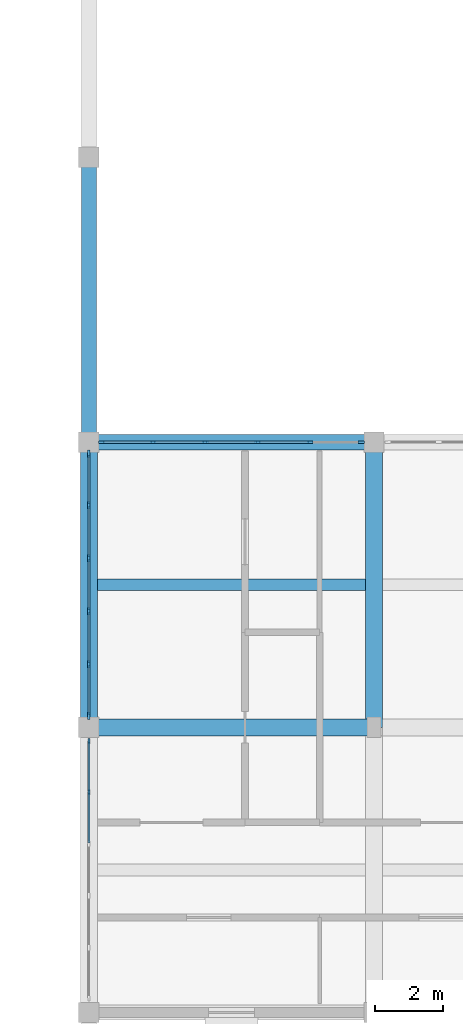
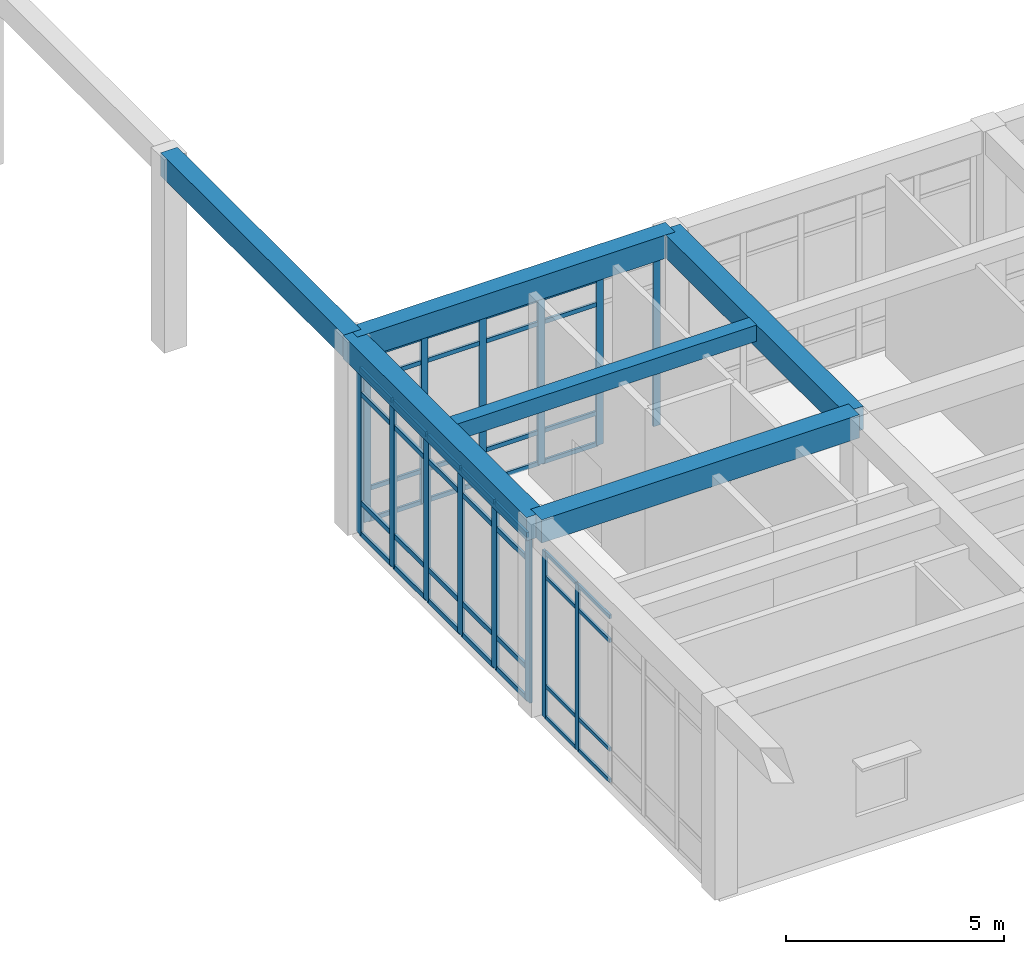
# One storey, part 13 of 89: 58 members, 6 beams, 3 elements without a shape of their own.
"""IFC4 building model written with IfcOpenShell, lengths in metres."""

from ifc_helpers import new_model, si_unit, direction, frame, origin, origin_2d, place, context, subcontext, project, spatial, rectangle, extrude, material, material_profile, profile_set, type_object, element, aggregate, save


model = new_model("IFC4")

# Units and contexts
model_context = context("Model", 3, precision=1e-05, world=origin(), true_north=direction((0.0, 1.0)))
body_context = subcontext(model_context, "Body", "Model", "MODEL_VIEW")
ifc_project = project(units=[si_unit("LENGTHUNIT", "METRE"), si_unit("AREAUNIT", "SQUARE_METRE"), si_unit("VOLUMEUNIT", "CUBIC_METRE"), si_unit("PLANEANGLEUNIT", "RADIAN"), si_unit("MASSUNIT", "GRAM", prefix="KILO")], contexts=[model_context])

# Site, building, storey
site_placement = place(None, origin())
site = spatial("IfcSite", under=ifc_project, at=site_placement, CompositionType="ELEMENT")
building_placement = place(site_placement, origin())
building = spatial("IfcBuilding", under=site, at=building_placement, Name="Varncliffe General Hospital", CompositionType="ELEMENT")
storey_placement = place(building_placement, frame((0.0, 0.0, 10.800048828125)))
storey = spatial("IfcBuildingStorey", under=building, at=storey_placement, Name="L02", CompositionType="ELEMENT", Elevation=10.800048828125)

# Beams
ifc_material_1 = material(Name="Concrete C35/45 (CSA A23.1 35 MPa)", Category="concrete")
ifc_material_profile_1 = material_profile(ifc_material_1, rectangle(XDim=0.5, YDim=0.64990234375, at=origin_2d()), Name="RC 500x650")
ifc_profile_set_1 = profile_set([ifc_material_profile_1], Name="Concrete C35/45 (CSA A23.1 35 MPa)")
beam_type_1 = type_object("IfcBeamType", Name="Beam B29 (Int RC 500x650)", PredefinedType="BEAM", material=ifc_profile_set_1)
beam_1_placement = place(storey_placement, frame((117.60009765625, 32.39990234375, 5.074951171875), z_axis=(1.0, 0.0, 0.0), x_axis=(0.0, 1.0, 0.0)))
element("IfcBeam", 1, at=beam_1_placement, inside=storey, type_object=beam_type_1, Name="L02 Primary Beam B29-35", PredefinedType="BEAM", context=body_context, shape_type="SweptSolid", body=[
    extrude(rectangle(XDim=0.5, YDim=0.64990234375, at=origin_2d()), origin(), (0.0, 0.0, 1.0), 8.39990234375),
])
for number, where, z_axis, x_axis, name in (
    (2, (117.60009765625, 32.39990234375, 5.074951171875), (0.0, 1.0, 0.0), (-1.0, 0.0, 0.0), "L02 Primary Beam B29-389"),
    (3, (126.0, 32.39990234375, 5.074951171875), (0.0, 1.0, 0.0), (-1.0, 0.0, 0.0), "L02 Primary Beam B29-403"),
):
    element("IfcBeam", number, at=place(storey_placement, frame(where, z_axis=z_axis, x_axis=x_axis)), inside=storey, type_object=beam_type_1, Name=name, PredefinedType="BEAM", context=body_context, shape_type="SweptSolid", body=[
        extrude(rectangle(XDim=0.5, YDim=0.64990234375, at=origin_2d()), origin(), (0.0, 0.0, 1.0), 8.400146484375),
    ])

# Curtain wall, members
ifc_material_2 = material(Name="Triple low-E argon insulated vision glazing", Category="glass")
curtain_wall_type_1 = type_object("IfcCurtainWallType", Name="Unitised Glazed Curtain Wall CW70 (7724x4640)", PredefinedType="USERDEFINED", material=ifc_material_2)
curtain_wall_1_placement = place(storey_placement, origin())
curtain_wall_1 = element("IfcCurtainWall", 4, at=curtain_wall_1_placement, inside=storey, type_object=curtain_wall_type_1, Name="L02 Glazed Curtain Wall CW70-118", ObjectType="GLAZED CURTAIN WALL", PredefinedType="USERDEFINED")
ifc_material_3 = material(Name="Dark bronze thermally broken aluminium framing", Category="aluminium")
ifc_material_profile_2 = material_profile(ifc_material_3, rectangle(XDim=0.074951171875, YDim=0.179931640625, at=origin_2d()), Name="ALU 75x180")
ifc_profile_set_2 = profile_set([ifc_material_profile_2], Name="Dark bronze thermally broken aluminium framing")
member_type_1 = type_object("IfcMemberType", Name="Curtain Wall Mullion CM44 (ALU 75x180)", PredefinedType="MULLION", material=ifc_profile_set_2)
member_1_placement = place(storey_placement, frame((117.9755859375, 40.800048828125, 0.0), z_axis=(0.0, 0.0, 1.0), x_axis=(0.0, 1.0, 0.0)))
member_1 = element("IfcMember", 5, at=member_1_placement, type_object=member_type_1, Name="CW70 mullion 1", PredefinedType="MULLION", context=body_context, shape_type="SweptSolid", body=[
    extrude(rectangle(XDim=0.074951171875, YDim=0.179931640625, at=origin_2d()), origin(), (0.0, 0.0, 1.0), 4.639892578125),
])
member_2_placement = place(storey_placement, frame((119.48291015625, 40.800048828125, 0.0), z_axis=(0.0, 0.0, 1.0), x_axis=(0.0, 1.0, 0.0)))
member_2 = element("IfcMember", 6, at=member_2_placement, type_object=member_type_1, Name="CW70 mullion 2", PredefinedType="MULLION", context=body_context, shape_type="SweptSolid", body=[
    extrude(rectangle(XDim=0.074951171875, YDim=0.179931640625, at=origin_2d()), origin(), (0.0, 0.0, 1.0), 4.639892578125),
])
member_3_placement = place(storey_placement, frame((121.027587890625, 40.800048828125, 0.0), z_axis=(0.0, 0.0, 1.0), x_axis=(0.0, 1.0, 0.0)))
member_3 = element("IfcMember", 7, at=member_3_placement, type_object=member_type_1, Name="CW70 mullion 3", PredefinedType="MULLION", context=body_context, shape_type="SweptSolid", body=[
    extrude(rectangle(XDim=0.074951171875, YDim=0.179931640625, at=origin_2d()), origin(), (0.0, 0.0, 1.0), 4.639892578125),
])
member_4_placement = place(storey_placement, frame((122.572509765625, 40.800048828125, 0.0), z_axis=(0.0, 0.0, 1.0), x_axis=(0.0, 1.0, 0.0)))
member_4 = element("IfcMember", 8, at=member_4_placement, type_object=member_type_1, Name="CW70 mullion 4", PredefinedType="MULLION", context=body_context, shape_type="SweptSolid", body=[
    extrude(rectangle(XDim=0.074951171875, YDim=0.179931640625, at=origin_2d()), origin(), (0.0, 0.0, 1.0), 4.639892578125),
])
member_5_placement = place(storey_placement, frame((124.1171875, 40.800048828125, 0.0), z_axis=(0.0, 0.0, 1.0), x_axis=(0.0, 1.0, 0.0)))
member_5 = element("IfcMember", 9, at=member_5_placement, type_object=member_type_1, Name="CW70 mullion 5", PredefinedType="MULLION", context=body_context, shape_type="SweptSolid", body=[
    extrude(rectangle(XDim=0.074951171875, YDim=0.179931640625, at=origin_2d()), origin(), (0.0, 0.0, 1.0), 4.639892578125),
])
member_6_placement = place(storey_placement, frame((125.62451171875, 40.800048828125, 0.0), z_axis=(0.0, 0.0, 1.0), x_axis=(0.0, 1.0, 0.0)))
member_6 = element("IfcMember", 10, at=member_6_placement, type_object=member_type_1, Name="CW70 mullion 6", PredefinedType="MULLION", context=body_context, shape_type="SweptSolid", body=[
    extrude(rectangle(XDim=0.074951171875, YDim=0.179931640625, at=origin_2d()), origin(), (0.0, 0.0, 1.0), 4.639892578125),
])

curtain_wall_type_2 = type_object("IfcCurtainWallType", Name="Unitised Glazed Curtain Wall CW27 (7644x4640)", PredefinedType="USERDEFINED", material=ifc_material_2)
curtain_wall_2_placement = place(storey_placement, origin())
curtain_wall_2 = element("IfcCurtainWall", 11, at=curtain_wall_2_placement, inside=storey, type_object=curtain_wall_type_2, Name="L02 Glazed Curtain Wall CW27-116", ObjectType="GLAZED CURTAIN WALL", PredefinedType="USERDEFINED")
ifc_material_profile_3 = material_profile(ifc_material_3, rectangle(XDim=0.06494140625, YDim=0.159912109375, at=origin_2d()), Name="ALU 65x160")
ifc_profile_set_3 = profile_set([ifc_material_profile_3], Name="Dark bronze thermally broken aluminium framing")
member_type_2 = type_object("IfcMemberType", Name="Curtain Wall Mullion CM65 (ALU 65x160)", PredefinedType="MULLION", material=ifc_profile_set_3)
member_7_placement = place(storey_placement, frame((117.60009765625, 30.4931640625, 0.0), z_axis=(0.0, 0.0, 1.0), x_axis=(-1.0, 0.0, 0.0)))
member_7 = element("IfcMember", 12, at=member_7_placement, type_object=member_type_2, Name="CW27 mullion 5", PredefinedType="MULLION", context=body_context, shape_type="SweptSolid", body=[
    extrude(rectangle(XDim=0.06494140625, YDim=0.159912109375, at=origin_2d()), origin(), (0.0, 0.0, 1.0), 4.639892578125),
])
member_8_placement = place(storey_placement, frame((117.60009765625, 31.989501953125, 0.0), z_axis=(0.0, 0.0, 1.0), x_axis=(-1.0, 0.0, 0.0)))
member_8 = element("IfcMember", 13, at=member_8_placement, type_object=member_type_2, Name="CW27 mullion 6", PredefinedType="MULLION", context=body_context, shape_type="SweptSolid", body=[
    extrude(rectangle(XDim=0.06494140625, YDim=0.159912109375, at=origin_2d()), origin(), (0.0, 0.0, 1.0), 4.639892578125),
])

curtain_wall_type_3 = type_object("IfcCurtainWallType", Name="Unitised Glazed Curtain Wall CW85 (7804x4640)", PredefinedType="USERDEFINED", material=ifc_material_2)
curtain_wall_3_placement = place(storey_placement, origin())
curtain_wall_3 = element("IfcCurtainWall", 14, at=curtain_wall_3_placement, inside=storey, type_object=curtain_wall_type_3, Name="L02 Glazed Curtain Wall CW85-117", ObjectType="GLAZED CURTAIN WALL", PredefinedType="USERDEFINED")
ifc_material_profile_4 = material_profile(ifc_material_3, rectangle(XDim=0.074951171875, YDim=0.219970703125, at=origin_2d()), Name="ALU 75x220")
ifc_profile_set_4 = profile_set([ifc_material_profile_4], Name="Dark bronze thermally broken aluminium framing")
member_type_3 = type_object("IfcMemberType", Name="Curtain Wall Mullion CM74 (ALU 75x220)", PredefinedType="MULLION", material=ifc_profile_set_4)
member_9_placement = place(storey_placement, frame((117.60009765625, 32.735595703125, 0.0), z_axis=(0.0, 0.0, 1.0), x_axis=(-1.0, 0.0, 0.0)))
member_9 = element("IfcMember", 15, at=member_9_placement, type_object=member_type_3, Name="CW85 mullion 1", PredefinedType="MULLION", context=body_context, shape_type="SweptSolid", body=[
    extrude(rectangle(XDim=0.074951171875, YDim=0.219970703125, at=origin_2d()), origin(), (0.0, 0.0, 1.0), 4.639892578125),
])
member_10_placement = place(storey_placement, frame((117.60009765625, 34.2587890625, 0.0), z_axis=(0.0, 0.0, 1.0), x_axis=(-1.0, 0.0, 0.0)))
member_10 = element("IfcMember", 16, at=member_10_placement, type_object=member_type_3, Name="CW85 mullion 2", PredefinedType="MULLION", context=body_context, shape_type="SweptSolid", body=[
    extrude(rectangle(XDim=0.074951171875, YDim=0.219970703125, at=origin_2d()), origin(), (0.0, 0.0, 1.0), 4.639892578125),
])
member_11_placement = place(storey_placement, frame((117.60009765625, 35.819580078125, 0.0), z_axis=(0.0, 0.0, 1.0), x_axis=(-1.0, 0.0, 0.0)))
member_11 = element("IfcMember", 17, at=member_11_placement, type_object=member_type_3, Name="CW85 mullion 3", PredefinedType="MULLION", context=body_context, shape_type="SweptSolid", body=[
    extrude(rectangle(XDim=0.074951171875, YDim=0.219970703125, at=origin_2d()), origin(), (0.0, 0.0, 1.0), 4.639892578125),
])
member_12_placement = place(storey_placement, frame((117.60009765625, 37.38037109375, 0.0), z_axis=(0.0, 0.0, 1.0), x_axis=(-1.0, 0.0, 0.0)))
member_12 = element("IfcMember", 18, at=member_12_placement, type_object=member_type_3, Name="CW85 mullion 4", PredefinedType="MULLION", context=body_context, shape_type="SweptSolid", body=[
    extrude(rectangle(XDim=0.074951171875, YDim=0.219970703125, at=origin_2d()), origin(), (0.0, 0.0, 1.0), 4.639892578125),
])
member_13_placement = place(storey_placement, frame((117.60009765625, 38.941162109375, 0.0), z_axis=(0.0, 0.0, 1.0), x_axis=(-1.0, 0.0, 0.0)))
member_13 = element("IfcMember", 19, at=member_13_placement, type_object=member_type_3, Name="CW85 mullion 5", PredefinedType="MULLION", context=body_context, shape_type="SweptSolid", body=[
    extrude(rectangle(XDim=0.074951171875, YDim=0.219970703125, at=origin_2d()), origin(), (0.0, 0.0, 1.0), 4.639892578125),
])
member_14_placement = place(storey_placement, frame((117.60009765625, 40.464599609375, 0.0), z_axis=(0.0, 0.0, 1.0), x_axis=(-1.0, 0.0, 0.0)))
member_14 = element("IfcMember", 20, at=member_14_placement, type_object=member_type_3, Name="CW85 mullion 6", PredefinedType="MULLION", context=body_context, shape_type="SweptSolid", body=[
    extrude(rectangle(XDim=0.074951171875, YDim=0.219970703125, at=origin_2d()), origin(), (0.0, 0.0, 1.0), 4.639892578125),
])

# Member
ifc_material_profile_5 = material_profile(ifc_material_3, rectangle(XDim=0.06005859375, YDim=0.1201171875, at=origin_2d()), Name="ALU 60x120")
ifc_profile_set_5 = profile_set([ifc_material_profile_5], Name="Dark bronze thermally broken aluminium framing")
member_type_4 = type_object("IfcMemberType", Name="Curtain Wall Transom CT14 (ALU 60x120)", PredefinedType="USERDEFINED", material=ifc_profile_set_5)
member_15_placement = place(storey_placement, frame((118.012939453125, 40.800048828125, 0.030029296875), z_axis=(1.0, 0.0, 0.0), x_axis=(0.0, 1.0, 0.0)))
member_15 = element("IfcMember", 21, at=member_15_placement, type_object=member_type_4, Name="CW70 transom 1.1", ObjectType="TRANSOM", PredefinedType="USERDEFINED", context=body_context, shape_type="SweptSolid", body=[
    extrude(rectangle(XDim=0.06005859375, YDim=0.1201171875, at=origin_2d()), origin(), (0.0, 0.0, 1.0), 1.432373046875),
])

member_16_placement = place(storey_placement, frame((118.012939453125, 40.800048828125, 0.89990234375), z_axis=(1.0, 0.0, 0.0), x_axis=(0.0, 1.0, 0.0)))
member_16 = element("IfcMember", 22, at=member_16_placement, type_object=member_type_4, Name="CW70 transom 1.2", ObjectType="TRANSOM", PredefinedType="USERDEFINED", context=body_context, shape_type="SweptSolid", body=[
    extrude(rectangle(XDim=0.06005859375, YDim=0.1201171875, at=origin_2d()), origin(), (0.0, 0.0, 1.0), 1.432373046875),
])

member_17_placement = place(storey_placement, frame((118.012939453125, 40.800048828125, 3.93994140625), z_axis=(1.0, 0.0, 0.0), x_axis=(0.0, 1.0, 0.0)))
member_17 = element("IfcMember", 23, at=member_17_placement, type_object=member_type_4, Name="CW70 transom 1.3", ObjectType="TRANSOM", PredefinedType="USERDEFINED", context=body_context, shape_type="SweptSolid", body=[
    extrude(rectangle(XDim=0.06005859375, YDim=0.1201171875, at=origin_2d()), origin(), (0.0, 0.0, 1.0), 1.432373046875),
])

member_18_placement = place(storey_placement, frame((118.012939453125, 40.800048828125, 4.60986328125), z_axis=(1.0, 0.0, 0.0), x_axis=(0.0, 1.0, 0.0)))
member_18 = element("IfcMember", 24, at=member_18_placement, type_object=member_type_4, Name="CW70 transom 1.4", ObjectType="TRANSOM", PredefinedType="USERDEFINED", context=body_context, shape_type="SweptSolid", body=[
    extrude(rectangle(XDim=0.06005859375, YDim=0.1201171875, at=origin_2d()), origin(), (0.0, 0.0, 1.0), 1.432373046875),
])

member_19_placement = place(storey_placement, frame((119.520263671875, 40.800048828125, 0.030029296875), z_axis=(1.0, 0.0, 0.0), x_axis=(0.0, 1.0, 0.0)))
member_19 = element("IfcMember", 25, at=member_19_placement, type_object=member_type_4, Name="CW70 transom 2.1", ObjectType="TRANSOM", PredefinedType="USERDEFINED", context=body_context, shape_type="SweptSolid", body=[
    extrude(rectangle(XDim=0.06005859375, YDim=0.1201171875, at=origin_2d()), origin(), (0.0, 0.0, 1.0), 1.4697265625),
])

member_20_placement = place(storey_placement, frame((119.520263671875, 40.800048828125, 0.89990234375), z_axis=(1.0, 0.0, 0.0), x_axis=(0.0, 1.0, 0.0)))
member_20 = element("IfcMember", 26, at=member_20_placement, type_object=member_type_4, Name="CW70 transom 2.2", ObjectType="TRANSOM", PredefinedType="USERDEFINED", context=body_context, shape_type="SweptSolid", body=[
    extrude(rectangle(XDim=0.06005859375, YDim=0.1201171875, at=origin_2d()), origin(), (0.0, 0.0, 1.0), 1.4697265625),
])

member_21_placement = place(storey_placement, frame((119.520263671875, 40.800048828125, 3.93994140625), z_axis=(1.0, 0.0, 0.0), x_axis=(0.0, 1.0, 0.0)))
member_21 = element("IfcMember", 27, at=member_21_placement, type_object=member_type_4, Name="CW70 transom 2.3", ObjectType="TRANSOM", PredefinedType="USERDEFINED", context=body_context, shape_type="SweptSolid", body=[
    extrude(rectangle(XDim=0.06005859375, YDim=0.1201171875, at=origin_2d()), origin(), (0.0, 0.0, 1.0), 1.4697265625),
])

member_22_placement = place(storey_placement, frame((119.520263671875, 40.800048828125, 4.60986328125), z_axis=(1.0, 0.0, 0.0), x_axis=(0.0, 1.0, 0.0)))
member_22 = element("IfcMember", 28, at=member_22_placement, type_object=member_type_4, Name="CW70 transom 2.4", ObjectType="TRANSOM", PredefinedType="USERDEFINED", context=body_context, shape_type="SweptSolid", body=[
    extrude(rectangle(XDim=0.06005859375, YDim=0.1201171875, at=origin_2d()), origin(), (0.0, 0.0, 1.0), 1.4697265625),
])

member_23_placement = place(storey_placement, frame((121.065185546875, 40.800048828125, 0.030029296875), z_axis=(1.0, 0.0, 0.0), x_axis=(0.0, 1.0, 0.0)))
member_23 = element("IfcMember", 29, at=member_23_placement, type_object=member_type_4, Name="CW70 transom 3.1", ObjectType="TRANSOM", PredefinedType="USERDEFINED", context=body_context, shape_type="SweptSolid", body=[
    extrude(rectangle(XDim=0.06005859375, YDim=0.1201171875, at=origin_2d()), origin(), (0.0, 0.0, 1.0), 1.4697265625),
])

member_24_placement = place(storey_placement, frame((121.065185546875, 40.800048828125, 0.89990234375), z_axis=(1.0, 0.0, 0.0), x_axis=(0.0, 1.0, 0.0)))
member_24 = element("IfcMember", 30, at=member_24_placement, type_object=member_type_4, Name="CW70 transom 3.2", ObjectType="TRANSOM", PredefinedType="USERDEFINED", context=body_context, shape_type="SweptSolid", body=[
    extrude(rectangle(XDim=0.06005859375, YDim=0.1201171875, at=origin_2d()), origin(), (0.0, 0.0, 1.0), 1.4697265625),
])

member_25_placement = place(storey_placement, frame((121.065185546875, 40.800048828125, 3.93994140625), z_axis=(1.0, 0.0, 0.0), x_axis=(0.0, 1.0, 0.0)))
member_25 = element("IfcMember", 31, at=member_25_placement, type_object=member_type_4, Name="CW70 transom 3.3", ObjectType="TRANSOM", PredefinedType="USERDEFINED", context=body_context, shape_type="SweptSolid", body=[
    extrude(rectangle(XDim=0.06005859375, YDim=0.1201171875, at=origin_2d()), origin(), (0.0, 0.0, 1.0), 1.4697265625),
])

member_26_placement = place(storey_placement, frame((121.065185546875, 40.800048828125, 4.60986328125), z_axis=(1.0, 0.0, 0.0), x_axis=(0.0, 1.0, 0.0)))
member_26 = element("IfcMember", 32, at=member_26_placement, type_object=member_type_4, Name="CW70 transom 3.4", ObjectType="TRANSOM", PredefinedType="USERDEFINED", context=body_context, shape_type="SweptSolid", body=[
    extrude(rectangle(XDim=0.06005859375, YDim=0.1201171875, at=origin_2d()), origin(), (0.0, 0.0, 1.0), 1.4697265625),
])

member_27_placement = place(storey_placement, frame((122.60986328125, 40.800048828125, 0.030029296875), z_axis=(1.0, 0.0, 0.0), x_axis=(0.0, 1.0, 0.0)))
member_27 = element("IfcMember", 33, at=member_27_placement, type_object=member_type_4, Name="CW70 transom 4.1", ObjectType="TRANSOM", PredefinedType="USERDEFINED", context=body_context, shape_type="SweptSolid", body=[
    extrude(rectangle(XDim=0.06005859375, YDim=0.1201171875, at=origin_2d()), origin(), (0.0, 0.0, 1.0), 1.4697265625),
])

member_28_placement = place(storey_placement, frame((122.60986328125, 40.800048828125, 0.89990234375), z_axis=(1.0, 0.0, 0.0), x_axis=(0.0, 1.0, 0.0)))
member_28 = element("IfcMember", 34, at=member_28_placement, type_object=member_type_4, Name="CW70 transom 4.2", ObjectType="TRANSOM", PredefinedType="USERDEFINED", context=body_context, shape_type="SweptSolid", body=[
    extrude(rectangle(XDim=0.06005859375, YDim=0.1201171875, at=origin_2d()), origin(), (0.0, 0.0, 1.0), 1.4697265625),
])

member_29_placement = place(storey_placement, frame((122.60986328125, 40.800048828125, 3.93994140625), z_axis=(1.0, 0.0, 0.0), x_axis=(0.0, 1.0, 0.0)))
member_29 = element("IfcMember", 35, at=member_29_placement, type_object=member_type_4, Name="CW70 transom 4.3", ObjectType="TRANSOM", PredefinedType="USERDEFINED", context=body_context, shape_type="SweptSolid", body=[
    extrude(rectangle(XDim=0.06005859375, YDim=0.1201171875, at=origin_2d()), origin(), (0.0, 0.0, 1.0), 1.4697265625),
])

member_30_placement = place(storey_placement, frame((122.60986328125, 40.800048828125, 4.60986328125), z_axis=(1.0, 0.0, 0.0), x_axis=(0.0, 1.0, 0.0)))
member_30 = element("IfcMember", 36, at=member_30_placement, type_object=member_type_4, Name="CW70 transom 4.4", ObjectType="TRANSOM", PredefinedType="USERDEFINED", context=body_context, shape_type="SweptSolid", body=[
    extrude(rectangle(XDim=0.06005859375, YDim=0.1201171875, at=origin_2d()), origin(), (0.0, 0.0, 1.0), 1.4697265625),
])

aggregate(curtain_wall_1, [member_1, member_2, member_3, member_4, member_5, member_6, member_15, member_16, member_17, member_18, member_19, member_20, member_21, member_22, member_23, member_24, member_25, member_26, member_27, member_28, member_29, member_30])

ifc_material_profile_6 = material_profile(ifc_material_3, rectangle(XDim=0.06005859375, YDim=0.10009765625, at=origin_2d()), Name="ALU 60x100")
ifc_profile_set_6 = profile_set([ifc_material_profile_6], Name="Dark bronze thermally broken aluminium framing")
member_type_5 = type_object("IfcMemberType", Name="Curtain Wall Transom CT18 (ALU 60x100)", PredefinedType="USERDEFINED", material=ifc_profile_set_6)
member_31_placement = place(storey_placement, frame((117.60009765625, 28.996826171875, 0.030029296875), z_axis=(0.0, 1.0, 0.0), x_axis=(-1.0, 0.0, 0.0)))
member_31 = element("IfcMember", 37, at=member_31_placement, type_object=member_type_5, Name="CW27 transom 4.1", ObjectType="TRANSOM", PredefinedType="USERDEFINED", context=body_context, shape_type="SweptSolid", body=[
    extrude(rectangle(XDim=0.06005859375, YDim=0.10009765625, at=origin_2d()), origin(), (0.0, 0.0, 1.0), 1.4638671875),
])

member_32_placement = place(storey_placement, frame((117.60009765625, 28.996826171875, 0.89990234375), z_axis=(0.0, 1.0, 0.0), x_axis=(-1.0, 0.0, 0.0)))
member_32 = element("IfcMember", 38, at=member_32_placement, type_object=member_type_5, Name="CW27 transom 4.2", ObjectType="TRANSOM", PredefinedType="USERDEFINED", context=body_context, shape_type="SweptSolid", body=[
    extrude(rectangle(XDim=0.06005859375, YDim=0.10009765625, at=origin_2d()), origin(), (0.0, 0.0, 1.0), 1.4638671875),
])

member_33_placement = place(storey_placement, frame((117.60009765625, 28.996826171875, 3.93994140625), z_axis=(0.0, 1.0, 0.0), x_axis=(-1.0, 0.0, 0.0)))
member_33 = element("IfcMember", 39, at=member_33_placement, type_object=member_type_5, Name="CW27 transom 4.3", ObjectType="TRANSOM", PredefinedType="USERDEFINED", context=body_context, shape_type="SweptSolid", body=[
    extrude(rectangle(XDim=0.06005859375, YDim=0.10009765625, at=origin_2d()), origin(), (0.0, 0.0, 1.0), 1.4638671875),
])

member_34_placement = place(storey_placement, frame((117.60009765625, 28.996826171875, 4.60986328125), z_axis=(0.0, 1.0, 0.0), x_axis=(-1.0, 0.0, 0.0)))
member_34 = element("IfcMember", 40, at=member_34_placement, type_object=member_type_5, Name="CW27 transom 4.4", ObjectType="TRANSOM", PredefinedType="USERDEFINED", context=body_context, shape_type="SweptSolid", body=[
    extrude(rectangle(XDim=0.06005859375, YDim=0.10009765625, at=origin_2d()), origin(), (0.0, 0.0, 1.0), 1.4638671875),
])

member_35_placement = place(storey_placement, frame((117.60009765625, 30.525634765625, 0.030029296875), z_axis=(0.0, 1.0, 0.0), x_axis=(-1.0, 0.0, 0.0)))
member_35 = element("IfcMember", 41, at=member_35_placement, type_object=member_type_5, Name="CW27 transom 5.1", ObjectType="TRANSOM", PredefinedType="USERDEFINED", context=body_context, shape_type="SweptSolid", body=[
    extrude(rectangle(XDim=0.06005859375, YDim=0.10009765625, at=origin_2d()), origin(), (0.0, 0.0, 1.0), 1.431396484375),
])

member_36_placement = place(storey_placement, frame((117.60009765625, 30.525634765625, 0.89990234375), z_axis=(0.0, 1.0, 0.0), x_axis=(-1.0, 0.0, 0.0)))
member_36 = element("IfcMember", 42, at=member_36_placement, type_object=member_type_5, Name="CW27 transom 5.2", ObjectType="TRANSOM", PredefinedType="USERDEFINED", context=body_context, shape_type="SweptSolid", body=[
    extrude(rectangle(XDim=0.06005859375, YDim=0.10009765625, at=origin_2d()), origin(), (0.0, 0.0, 1.0), 1.431396484375),
])

member_37_placement = place(storey_placement, frame((117.60009765625, 30.525634765625, 3.93994140625), z_axis=(0.0, 1.0, 0.0), x_axis=(-1.0, 0.0, 0.0)))
member_37 = element("IfcMember", 43, at=member_37_placement, type_object=member_type_5, Name="CW27 transom 5.3", ObjectType="TRANSOM", PredefinedType="USERDEFINED", context=body_context, shape_type="SweptSolid", body=[
    extrude(rectangle(XDim=0.06005859375, YDim=0.10009765625, at=origin_2d()), origin(), (0.0, 0.0, 1.0), 1.431396484375),
])

member_38_placement = place(storey_placement, frame((117.60009765625, 30.525634765625, 4.60986328125), z_axis=(0.0, 1.0, 0.0), x_axis=(-1.0, 0.0, 0.0)))
member_38 = element("IfcMember", 44, at=member_38_placement, type_object=member_type_5, Name="CW27 transom 5.4", ObjectType="TRANSOM", PredefinedType="USERDEFINED", context=body_context, shape_type="SweptSolid", body=[
    extrude(rectangle(XDim=0.06005859375, YDim=0.10009765625, at=origin_2d()), origin(), (0.0, 0.0, 1.0), 1.431396484375),
])

aggregate(curtain_wall_2, [member_7, member_8, member_31, member_32, member_33, member_34, member_35, member_36, member_37, member_38])

ifc_material_profile_7 = material_profile(ifc_material_3, rectangle(XDim=0.06494140625, YDim=0.139892578125, at=origin_2d()), Name="ALU 65x140")
ifc_profile_set_7 = profile_set([ifc_material_profile_7], Name="Dark bronze thermally broken aluminium framing")
member_type_6 = type_object("IfcMemberType", Name="Curtain Wall Transom CT69 (ALU 65x140)", PredefinedType="USERDEFINED", material=ifc_profile_set_7)
member_39_placement = place(storey_placement, frame((117.60009765625, 32.77294921875, 0.032470703125), z_axis=(0.0, 1.0, 0.0), x_axis=(-1.0, 0.0, 0.0)))
member_39 = element("IfcMember", 45, at=member_39_placement, type_object=member_type_6, Name="CW85 transom 1.1", ObjectType="TRANSOM", PredefinedType="USERDEFINED", context=body_context, shape_type="SweptSolid", body=[
    extrude(rectangle(XDim=0.06494140625, YDim=0.139892578125, at=origin_2d()), origin(), (0.0, 0.0, 1.0), 1.4482421875),
])

member_40_placement = place(storey_placement, frame((117.60009765625, 32.77294921875, 0.89990234375), z_axis=(0.0, 1.0, 0.0), x_axis=(-1.0, 0.0, 0.0)))
member_40 = element("IfcMember", 46, at=member_40_placement, type_object=member_type_6, Name="CW85 transom 1.2", ObjectType="TRANSOM", PredefinedType="USERDEFINED", context=body_context, shape_type="SweptSolid", body=[
    extrude(rectangle(XDim=0.06494140625, YDim=0.139892578125, at=origin_2d()), origin(), (0.0, 0.0, 1.0), 1.4482421875),
])

member_41_placement = place(storey_placement, frame((117.60009765625, 32.77294921875, 3.93994140625), z_axis=(0.0, 1.0, 0.0), x_axis=(-1.0, 0.0, 0.0)))
member_41 = element("IfcMember", 47, at=member_41_placement, type_object=member_type_6, Name="CW85 transom 1.3", ObjectType="TRANSOM", PredefinedType="USERDEFINED", context=body_context, shape_type="SweptSolid", body=[
    extrude(rectangle(XDim=0.06494140625, YDim=0.139892578125, at=origin_2d()), origin(), (0.0, 0.0, 1.0), 1.4482421875),
])

member_42_placement = place(storey_placement, frame((117.60009765625, 32.77294921875, 4.607421875), z_axis=(0.0, 1.0, 0.0), x_axis=(-1.0, 0.0, 0.0)))
member_42 = element("IfcMember", 48, at=member_42_placement, type_object=member_type_6, Name="CW85 transom 1.4", ObjectType="TRANSOM", PredefinedType="USERDEFINED", context=body_context, shape_type="SweptSolid", body=[
    extrude(rectangle(XDim=0.06494140625, YDim=0.139892578125, at=origin_2d()), origin(), (0.0, 0.0, 1.0), 1.4482421875),
])

member_43_placement = place(storey_placement, frame((117.60009765625, 34.29638671875, 0.032470703125), z_axis=(0.0, 1.0, 0.0), x_axis=(-1.0, 0.0, 0.0)))
member_43 = element("IfcMember", 49, at=member_43_placement, type_object=member_type_6, Name="CW85 transom 2.1", ObjectType="TRANSOM", PredefinedType="USERDEFINED", context=body_context, shape_type="SweptSolid", body=[
    extrude(rectangle(XDim=0.06494140625, YDim=0.139892578125, at=origin_2d()), origin(), (0.0, 0.0, 1.0), 1.485595703125),
])

member_44_placement = place(storey_placement, frame((117.60009765625, 34.29638671875, 0.89990234375), z_axis=(0.0, 1.0, 0.0), x_axis=(-1.0, 0.0, 0.0)))
member_44 = element("IfcMember", 50, at=member_44_placement, type_object=member_type_6, Name="CW85 transom 2.2", ObjectType="TRANSOM", PredefinedType="USERDEFINED", context=body_context, shape_type="SweptSolid", body=[
    extrude(rectangle(XDim=0.06494140625, YDim=0.139892578125, at=origin_2d()), origin(), (0.0, 0.0, 1.0), 1.485595703125),
])

member_45_placement = place(storey_placement, frame((117.60009765625, 34.29638671875, 3.93994140625), z_axis=(0.0, 1.0, 0.0), x_axis=(-1.0, 0.0, 0.0)))
member_45 = element("IfcMember", 51, at=member_45_placement, type_object=member_type_6, Name="CW85 transom 2.3", ObjectType="TRANSOM", PredefinedType="USERDEFINED", context=body_context, shape_type="SweptSolid", body=[
    extrude(rectangle(XDim=0.06494140625, YDim=0.139892578125, at=origin_2d()), origin(), (0.0, 0.0, 1.0), 1.485595703125),
])

member_46_placement = place(storey_placement, frame((117.60009765625, 34.29638671875, 4.607421875), z_axis=(0.0, 1.0, 0.0), x_axis=(-1.0, 0.0, 0.0)))
member_46 = element("IfcMember", 52, at=member_46_placement, type_object=member_type_6, Name="CW85 transom 2.4", ObjectType="TRANSOM", PredefinedType="USERDEFINED", context=body_context, shape_type="SweptSolid", body=[
    extrude(rectangle(XDim=0.06494140625, YDim=0.139892578125, at=origin_2d()), origin(), (0.0, 0.0, 1.0), 1.485595703125),
])

member_47_placement = place(storey_placement, frame((117.60009765625, 35.857177734375, 0.032470703125), z_axis=(0.0, 1.0, 0.0), x_axis=(-1.0, 0.0, 0.0)))
member_47 = element("IfcMember", 53, at=member_47_placement, type_object=member_type_6, Name="CW85 transom 3.1", ObjectType="TRANSOM", PredefinedType="USERDEFINED", context=body_context, shape_type="SweptSolid", body=[
    extrude(rectangle(XDim=0.06494140625, YDim=0.139892578125, at=origin_2d()), origin(), (0.0, 0.0, 1.0), 1.48583984375),
])

member_48_placement = place(storey_placement, frame((117.60009765625, 35.857177734375, 0.89990234375), z_axis=(0.0, 1.0, 0.0), x_axis=(-1.0, 0.0, 0.0)))
member_48 = element("IfcMember", 54, at=member_48_placement, type_object=member_type_6, Name="CW85 transom 3.2", ObjectType="TRANSOM", PredefinedType="USERDEFINED", context=body_context, shape_type="SweptSolid", body=[
    extrude(rectangle(XDim=0.06494140625, YDim=0.139892578125, at=origin_2d()), origin(), (0.0, 0.0, 1.0), 1.48583984375),
])

member_49_placement = place(storey_placement, frame((117.60009765625, 35.857177734375, 3.93994140625), z_axis=(0.0, 1.0, 0.0), x_axis=(-1.0, 0.0, 0.0)))
member_49 = element("IfcMember", 55, at=member_49_placement, type_object=member_type_6, Name="CW85 transom 3.3", ObjectType="TRANSOM", PredefinedType="USERDEFINED", context=body_context, shape_type="SweptSolid", body=[
    extrude(rectangle(XDim=0.06494140625, YDim=0.139892578125, at=origin_2d()), origin(), (0.0, 0.0, 1.0), 1.48583984375),
])

member_50_placement = place(storey_placement, frame((117.60009765625, 35.857177734375, 4.607421875), z_axis=(0.0, 1.0, 0.0), x_axis=(-1.0, 0.0, 0.0)))
member_50 = element("IfcMember", 56, at=member_50_placement, type_object=member_type_6, Name="CW85 transom 3.4", ObjectType="TRANSOM", PredefinedType="USERDEFINED", context=body_context, shape_type="SweptSolid", body=[
    extrude(rectangle(XDim=0.06494140625, YDim=0.139892578125, at=origin_2d()), origin(), (0.0, 0.0, 1.0), 1.48583984375),
])

member_51_placement = place(storey_placement, frame((117.60009765625, 37.41796875, 0.032470703125), z_axis=(0.0, 1.0, 0.0), x_axis=(-1.0, 0.0, 0.0)))
member_51 = element("IfcMember", 57, at=member_51_placement, type_object=member_type_6, Name="CW85 transom 4.1", ObjectType="TRANSOM", PredefinedType="USERDEFINED", context=body_context, shape_type="SweptSolid", body=[
    extrude(rectangle(XDim=0.06494140625, YDim=0.139892578125, at=origin_2d()), origin(), (0.0, 0.0, 1.0), 1.48583984375),
])

member_52_placement = place(storey_placement, frame((117.60009765625, 37.41796875, 0.89990234375), z_axis=(0.0, 1.0, 0.0), x_axis=(-1.0, 0.0, 0.0)))
member_52 = element("IfcMember", 58, at=member_52_placement, type_object=member_type_6, Name="CW85 transom 4.2", ObjectType="TRANSOM", PredefinedType="USERDEFINED", context=body_context, shape_type="SweptSolid", body=[
    extrude(rectangle(XDim=0.06494140625, YDim=0.139892578125, at=origin_2d()), origin(), (0.0, 0.0, 1.0), 1.48583984375),
])

member_53_placement = place(storey_placement, frame((117.60009765625, 37.41796875, 3.93994140625), z_axis=(0.0, 1.0, 0.0), x_axis=(-1.0, 0.0, 0.0)))
member_53 = element("IfcMember", 59, at=member_53_placement, type_object=member_type_6, Name="CW85 transom 4.3", ObjectType="TRANSOM", PredefinedType="USERDEFINED", context=body_context, shape_type="SweptSolid", body=[
    extrude(rectangle(XDim=0.06494140625, YDim=0.139892578125, at=origin_2d()), origin(), (0.0, 0.0, 1.0), 1.48583984375),
])

member_54_placement = place(storey_placement, frame((117.60009765625, 37.41796875, 4.607421875), z_axis=(0.0, 1.0, 0.0), x_axis=(-1.0, 0.0, 0.0)))
member_54 = element("IfcMember", 60, at=member_54_placement, type_object=member_type_6, Name="CW85 transom 4.4", ObjectType="TRANSOM", PredefinedType="USERDEFINED", context=body_context, shape_type="SweptSolid", body=[
    extrude(rectangle(XDim=0.06494140625, YDim=0.139892578125, at=origin_2d()), origin(), (0.0, 0.0, 1.0), 1.48583984375),
])

member_55_placement = place(storey_placement, frame((117.60009765625, 38.978759765625, 0.032470703125), z_axis=(0.0, 1.0, 0.0), x_axis=(-1.0, 0.0, 0.0)))
member_55 = element("IfcMember", 61, at=member_55_placement, type_object=member_type_6, Name="CW85 transom 5.1", ObjectType="TRANSOM", PredefinedType="USERDEFINED", context=body_context, shape_type="SweptSolid", body=[
    extrude(rectangle(XDim=0.06494140625, YDim=0.139892578125, at=origin_2d()), origin(), (0.0, 0.0, 1.0), 1.4482421875),
])

member_56_placement = place(storey_placement, frame((117.60009765625, 38.978759765625, 0.89990234375), z_axis=(0.0, 1.0, 0.0), x_axis=(-1.0, 0.0, 0.0)))
member_56 = element("IfcMember", 62, at=member_56_placement, type_object=member_type_6, Name="CW85 transom 5.2", ObjectType="TRANSOM", PredefinedType="USERDEFINED", context=body_context, shape_type="SweptSolid", body=[
    extrude(rectangle(XDim=0.06494140625, YDim=0.139892578125, at=origin_2d()), origin(), (0.0, 0.0, 1.0), 1.4482421875),
])

member_57_placement = place(storey_placement, frame((117.60009765625, 38.978759765625, 3.93994140625), z_axis=(0.0, 1.0, 0.0), x_axis=(-1.0, 0.0, 0.0)))
member_57 = element("IfcMember", 63, at=member_57_placement, type_object=member_type_6, Name="CW85 transom 5.3", ObjectType="TRANSOM", PredefinedType="USERDEFINED", context=body_context, shape_type="SweptSolid", body=[
    extrude(rectangle(XDim=0.06494140625, YDim=0.139892578125, at=origin_2d()), origin(), (0.0, 0.0, 1.0), 1.4482421875),
])

member_58_placement = place(storey_placement, frame((117.60009765625, 38.978759765625, 4.607421875), z_axis=(0.0, 1.0, 0.0), x_axis=(-1.0, 0.0, 0.0)))
member_58 = element("IfcMember", 64, at=member_58_placement, type_object=member_type_6, Name="CW85 transom 5.4", ObjectType="TRANSOM", PredefinedType="USERDEFINED", context=body_context, shape_type="SweptSolid", body=[
    extrude(rectangle(XDim=0.06494140625, YDim=0.139892578125, at=origin_2d()), origin(), (0.0, 0.0, 1.0), 1.4482421875),
])

aggregate(curtain_wall_3, [member_9, member_10, member_11, member_12, member_13, member_14, member_39, member_40, member_41, member_42, member_43, member_44, member_45, member_46, member_47, member_48, member_49, member_50, member_51, member_52, member_53, member_54, member_55, member_56, member_57, member_58])

# Beams
ifc_material_profile_8 = material_profile(ifc_material_1, rectangle(XDim=0.35009765625, YDim=0.449951171875, at=origin_2d()), Name="RC 350x450")
ifc_profile_set_8 = profile_set([ifc_material_profile_8], Name="Concrete C35/45 (CSA A23.1 35 MPa)")
beam_type_2 = type_object("IfcBeamType", Name="Joist J55 (Int RC 350x450)", PredefinedType="JOIST", material=ifc_profile_set_8)
beam_2_placement = place(storey_placement, frame((117.847900390625, 36.60009765625, 5.175048828125), z_axis=(1.0, 0.0, 0.0), x_axis=(0.0, 1.0, 0.0)))
element("IfcBeam", 65, at=beam_2_placement, inside=storey, type_object=beam_type_2, Name="L02 Secondary Floor Rib J55-46", PredefinedType="JOIST", context=body_context, shape_type="SweptSolid", body=[
    extrude(rectangle(XDim=0.35009765625, YDim=0.449951171875, at=origin_2d()), origin(), (0.0, 0.0, 1.0), 7.904052734375),
])
ifc_material_profile_9 = material_profile(ifc_material_1, rectangle(XDim=0.449951171875, YDim=0.64990234375, at=origin_2d()), Name="RC 450x650")
ifc_profile_set_9 = profile_set([ifc_material_profile_9], Name="Concrete C35/45 (CSA A23.1 35 MPa)")
beam_type_3 = type_object("IfcBeamType", Name="Spandrel SP38 (Ext RC 450x650B)", PredefinedType="SPANDREL", material=ifc_profile_set_9)
for number, where, z_axis, x_axis, name in (
    (66, (117.60009765625, 40.800048828125, 5.074951171875), (1.0, 0.0, 0.0), (0.0, 1.0, 0.0), "L02 Spandrel Beam SP38-44"),
    (67, (117.60009765625, 40.800048828125, 5.074951171875), (0.0, 1.0, 0.0), (-1.0, 0.0, 0.0), "L02 Spandrel Beam SP38-390"),
):
    element("IfcBeam", number, at=place(storey_placement, frame(where, z_axis=z_axis, x_axis=x_axis)), inside=storey, type_object=beam_type_3, Name=name, PredefinedType="SPANDREL", context=body_context, shape_type="SweptSolid", body=[
        extrude(rectangle(XDim=0.449951171875, YDim=0.64990234375, at=origin_2d()), origin(), (0.0, 0.0, 1.0), 8.39990234375),
    ])

save(model, "model.ifc")
